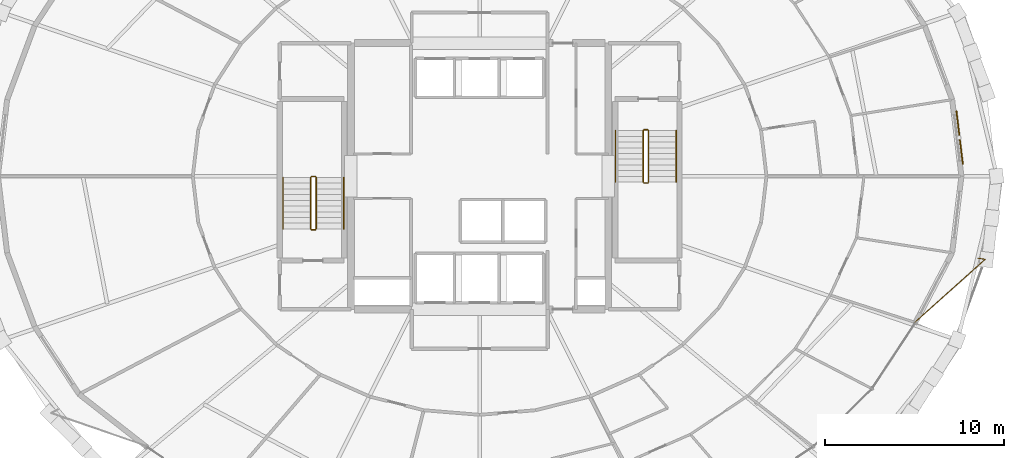
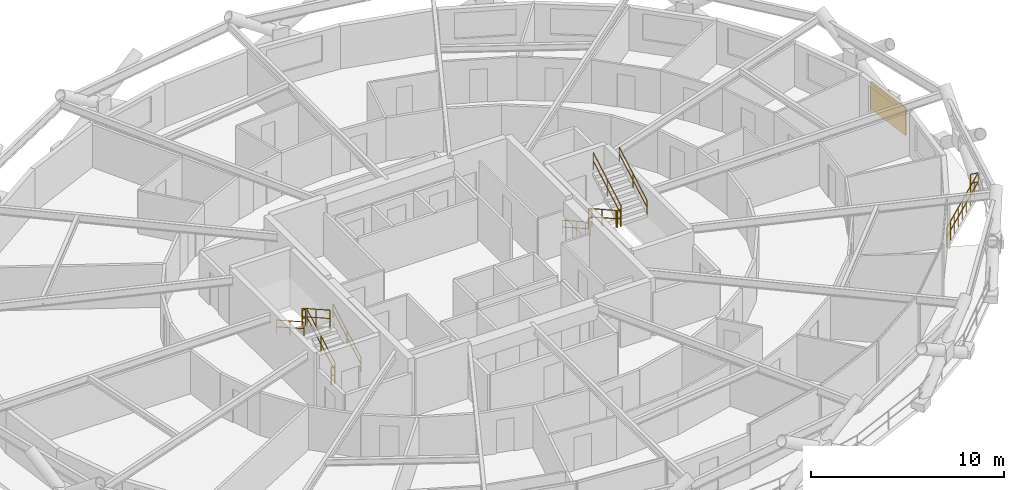
# One storey, part 19 of 19: 13 railings, 1 shading device.
"""IFC4 building model written with IfcOpenShell, lengths in metres."""

import ifcopenshell
import ifcopenshell.guid

model = None  # the IFC model being written
_history = None  # IfcOwnerHistory: only IFC2X3 demands one
_inside = {}  # id of a spatial element -> (the spatial element, [elements in it])
_under = {}  # id of a project, library or spatial element -> (it, [spatial elements below it])
_declared = {}  # id of a project -> (the project, [libraries it declares])
_typed = {}  # id of a type object -> (the type object, [elements of that type])
_made_of = {}  # id of a material, layer set ... -> (it, [elements and type objects made of it])


def new_model(schema):
    """Start an empty IFC model of exactly this schema.

    Asked for "IFC4X3", IfcOpenShell would pick the latest addendum, in which some entities
    have other attributes; the version numbers below select the first issue.
    IFC2X3 requires an IfcOwnerHistory on every rooted entity: one is made here for all.
    """
    global model, _history
    if schema == "IFC4X3":
        model = ifcopenshell.file(schema_version=(4, 3, 0, 0))
    else:
        model = ifcopenshell.file(schema=schema)
    _inside.clear()
    _under.clear()
    _declared.clear()
    _typed.clear()
    _made_of.clear()
    _history = None
    if model.schema == "IFC2X3":
        org = make("IfcOrganization", Name="unknown")
        user = make(
            "IfcPersonAndOrganization",
            ThePerson=make("IfcPerson", FamilyName="unknown"),
            TheOrganization=org,
        )
        app = make(
            "IfcApplication",
            ApplicationDeveloper=org,
            Version="unknown",
            ApplicationFullName="unknown",
            ApplicationIdentifier="unknown",
        )
        _history = make(
            "IfcOwnerHistory",
            OwningUser=user,
            OwningApplication=app,
            ChangeAction="ADDED",
            CreationDate=0,
        )
    return model


def make(cls, **values):
    """One entity of the class cls with the attributes given. An attribute that is None is left unset."""
    return model.create_entity(
        cls, **{name: value for name, value in values.items() if value is not None}
    )


def rooted(cls, **values):
    """An entity with a GlobalId (a new one), such as an element, a storey or a relation."""
    return make(cls, GlobalId=ifcopenshell.guid.new(), OwnerHistory=_history, **values)


def si_unit(unit_type, name, prefix=None):
    """IfcSIUnit, for example si_unit("LENGTHUNIT", "METRE", prefix="MILLI")."""
    return make("IfcSIUnit", UnitType=unit_type, Prefix=prefix, Name=name)


def assignment(units):
    """IfcUnitAssignment: the units of a project."""
    return None if units is None else make("IfcUnitAssignment", Units=units)


def point(xyz):
    """IfcCartesianPoint."""
    return None if xyz is None else make("IfcCartesianPoint", Coordinates=xyz)


def direction(xyz):
    """IfcDirection."""
    return None if xyz is None else make("IfcDirection", DirectionRatios=xyz)


def frame(location, z_axis=None, x_axis=None):
    """IfcAxis2Placement3D, a coordinate frame: its origin and axes. An axis left out is left unset."""
    return make(
        "IfcAxis2Placement3D",
        Location=point(location),
        Axis=direction(z_axis),
        RefDirection=direction(x_axis),
    )


def frame_2d(location, x_axis=None):
    """IfcAxis2Placement2D, a coordinate frame in the plane: its origin and x axis."""
    return make(
        "IfcAxis2Placement2D", Location=point(location), RefDirection=direction(x_axis)
    )


def origin():
    """The frame at (0, 0, 0) with its axes left unset."""
    return frame((0.0, 0.0, 0.0))


def origin_2d():
    """The frame at (0, 0) in the plane with its x axis left unset."""
    return frame_2d((0.0, 0.0))


def place(relative_to, where):
    """IfcLocalPlacement: puts the frame where relative to a parent placement (None: the world)."""
    return make(
        "IfcLocalPlacement", PlacementRelTo=relative_to, RelativePlacement=where
    )


def context(
    kind, dimensions, precision=None, world=None, true_north=None, identifier=None
):
    """IfcGeometricRepresentationContext, for example the 3D "Model" context."""
    return make(
        "IfcGeometricRepresentationContext",
        ContextIdentifier=identifier,
        ContextType=kind,
        CoordinateSpaceDimension=dimensions,
        Precision=precision,
        WorldCoordinateSystem=world,
        TrueNorth=true_north,
    )


def subcontext(parent, identifier, kind, view, scale=None):
    """IfcGeometricRepresentationSubContext, for example "Body" below "Model"."""
    return make(
        "IfcGeometricRepresentationSubContext",
        ContextIdentifier=identifier,
        ContextType=kind,
        ParentContext=parent,
        TargetScale=scale,
        TargetView=view,
    )


def project(units=None, contexts=None):
    """IfcProject with its units and contexts."""
    return rooted(
        "IfcProject",
        Name="project",
        RepresentationContexts=contexts,
        UnitsInContext=assignment(units),
    )


def spatial(cls, under=None, at=None, **own):
    """A site, building, storey or space (cls), placed at a placement, below another one or the project."""
    s = rooted(cls, ObjectPlacement=at, **own)
    if under is not None:
        _under.setdefault(under.id(), (under, []))[1].append(s)
    return s


def profile(cls, at=None, kind="AREA", **sizes):
    """A parametric profile (cls). Its sizes go by their IFC names, for example OverallWidth=200.0."""
    return make(cls, ProfileType=kind, Position=at, **sizes)


def rectangle(**sizes):
    """IfcRectangleProfileDef."""
    return profile("IfcRectangleProfileDef", **sizes)


def circle(**sizes):
    """IfcCircleProfileDef."""
    return profile("IfcCircleProfileDef", **sizes)


def extrude(swept, where, along, depth):
    """IfcExtrudedAreaSolid: the profile swept, set in the frame where, extruded along a direction by depth."""
    return make(
        "IfcExtrudedAreaSolid",
        SweptArea=swept,
        Position=where,
        ExtrudedDirection=direction(along),
        Depth=depth,
    )


def shape(context_of_items, identifier, shape_type, items):
    """IfcShapeRepresentation: the items that make up one representation, for example the "Body"."""
    return make(
        "IfcShapeRepresentation",
        ContextOfItems=context_of_items,
        RepresentationIdentifier=identifier,
        RepresentationType=shape_type,
        Items=items,
    )


def material(Name=None, Category=None):
    """IfcMaterial."""
    return make("IfcMaterial", Name=Name, Category=Category)


def layer(
    of_material, thickness, ventilated=None, Name=None, Category=None, Priority=None
):
    """IfcMaterialLayer: one layer of a wall or slab, of a material (None: an air gap)."""
    return make(
        "IfcMaterialLayer",
        Material=of_material,
        LayerThickness=thickness,
        IsVentilated=ventilated,
        Name=Name,
        Category=Category,
        Priority=Priority,
    )


def layer_set(layers, Name=None):
    """IfcMaterialLayerSet."""
    return make("IfcMaterialLayerSet", MaterialLayers=layers, LayerSetName=Name)


def made_of(thing, what):
    """Note that an element or type object is made of a material, layer set ...; save() writes the relation."""
    if what is not None:
        _made_of.setdefault(what.id(), (what, []))[1].append(thing)
    return thing


def type_object(cls, material=None, **own):
    """A type object (cls), such as IfcWallType, which elements share."""
    return made_of(rooted(cls, **own), material)


def element(
    cls,
    number,
    at=None,
    inside=None,
    cuts=None,
    type_object=None,
    material=None,
    context=None,
    identifier="Body",
    shape_type=None,
    held_by="IfcProductDefinitionShape",
    body=None,
    shapes=None,
    **own,
):
    """One element of the class cls, such as IfcWall. Its Tag is "e" and its number.

    at: its placement. inside: the storey or other place that contains it. cuts: it is an
    opening in that element (IfcRelVoidsElement). A single representation is given by context,
    identifier, shape_type and body (its items); several are given by shapes. held_by: the class
    of the entity that holds the representations. save() writes the other relations.
    """
    e = rooted(cls, Tag="e%d" % number, ObjectPlacement=at, **own)
    if body is not None:
        shapes = [shape(context, identifier, shape_type, body)]
    if shapes is not None:
        e.Representation = make(held_by, Representations=shapes)
    if inside is not None:
        _inside.setdefault(inside.id(), (inside, []))[1].append(e)
    if cuts is not None:
        rooted(
            "IfcRelVoidsElement", RelatingBuildingElement=cuts, RelatedOpeningElement=e
        )
    if type_object is not None:
        _typed.setdefault(type_object.id(), (type_object, []))[1].append(e)
    return made_of(e, material)


def aggregate(whole, parts):
    """IfcRelAggregates: a whole, such as a stair, and the parts it consists of."""
    return rooted("IfcRelAggregates", RelatingObject=whole, RelatedObjects=parts)


def save(model, path):
    """Write the relations noted so far, then the file.

    IfcRelAggregates (storeys below a building ...), IfcRelContainedInSpatialStructure (elements
    in a storey), IfcRelDefinesByType, IfcRelAssociatesMaterial and IfcRelDeclares: one each for
    every whole, place, type object, material and project.
    """
    for whole, parts in _under.values():
        aggregate(whole, parts)
    for where, things in _inside.values():
        rooted(
            "IfcRelContainedInSpatialStructure",
            RelatedElements=things,
            RelatingStructure=where,
        )
    for kind, things in _typed.values():
        rooted("IfcRelDefinesByType", RelatedObjects=things, RelatingType=kind)
    for what, things in _made_of.values():
        rooted("IfcRelAssociatesMaterial", RelatedObjects=things, RelatingMaterial=what)
    for by, libraries in _declared.values():
        rooted("IfcRelDeclares", RelatingContext=by, RelatedDefinitions=libraries)
    model.write(path)


model = new_model("IFC4")

# Units and contexts
model_context = context("Model", 3, precision=1e-05, world=origin(), true_north=direction((0.0, 1.0)))
body_context = subcontext(model_context, "Body", "Model", "MODEL_VIEW")
ifc_project = project(units=[si_unit("LENGTHUNIT", "METRE"), si_unit("AREAUNIT", "SQUARE_METRE"), si_unit("VOLUMEUNIT", "CUBIC_METRE"), si_unit("PLANEANGLEUNIT", "RADIAN"), si_unit("MASSUNIT", "GRAM", prefix="KILO")], contexts=[model_context])

# Site, building, storey
site_placement = place(None, origin())
site = spatial("IfcSite", under=ifc_project, at=site_placement, CompositionType="ELEMENT")
building_placement = place(site_placement, origin())
building = spatial("IfcBuilding", under=site, at=building_placement, Name="Veldorina Hangang Commons", CompositionType="ELEMENT")
storey_placement = place(building_placement, frame((0.0, 0.0, 70.0)))
storey = spatial("IfcBuildingStorey", under=building, at=storey_placement, Name="L17", CompositionType="ELEMENT", Elevation=70.0)

# Railings
ifc_material_1 = material(Name="Glass Laminated Safety Balustrade", Category="glass")
railing_type_1 = type_object("IfcRailingType", Name="RL-BAL-LOGGIA", PredefinedType="BALUSTRADE", material=ifc_material_1)
railing_1_placement = place(storey_placement, frame((59.86669921875, 19.41552734375, 0.0)))
element("IfcRailing", 1, at=railing_1_placement, inside=storey, type_object=railing_type_1, Name="L17 sky-garden loggia end balustrade B", PredefinedType="BALUSTRADE", context=body_context, shape_type="SweptSolid", body=[
    extrude(circle(Radius=0.02392578125, at=origin_2d()), frame((0.0, 0.0, 1.17578125), z_axis=(0.986768283702, -0.162136838135, 0.0), x_axis=(0.162136838135, 0.986768283702, 0.0)), (0.0, 0.0, 1.0), 0.420166015625),
    extrude(circle(Radius=0.02392578125, at=origin_2d()), frame((0.0, 0.0, 0.60009765625), z_axis=(0.986768283702, -0.162136838135, 0.0), x_axis=(0.162136838135, 0.986768283702, 0.0)), (0.0, 0.0, 1.0), 0.420166015625),
    extrude(circle(Radius=0.02392578125, at=origin_2d()), frame((0.41455078125, -0.068115234375, 1.17578125), z_axis=(-0.74488321369, -0.667194872555, 0.0), x_axis=(0.667194872555, -0.74488321369, 0.0)), (0.0, 0.0, 1.0), 5.279541015625),
    extrude(circle(Radius=0.02392578125, at=origin_2d()), frame((0.41455078125, -0.068115234375, 0.60009765625), z_axis=(-0.74488321369, -0.667194872555, 0.0), x_axis=(0.667194872555, -0.74488321369, 0.0)), (0.0, 0.0, 1.0), 5.279541015625),
    extrude(circle(Radius=0.02099609375, at=origin_2d()), origin(), (0.0, 0.0, 1.0), 1.15185546875),
    extrude(circle(Radius=0.02099609375, at=origin_2d()), frame((0.41455078125, -0.068115234375, 0.0)), (0.0, 0.0, 1.0), 1.15185546875),
    extrude(circle(Radius=0.02099609375, at=origin_2d()), frame((-0.0771484375, -0.50830078125, 0.0)), (0.0, 0.0, 1.0), 1.15185546875),
    extrude(circle(Radius=0.02099609375, at=origin_2d()), frame((-0.568603515625, -0.94873046875, 0.0)), (0.0, 0.0, 1.0), 1.15185546875),
    extrude(circle(Radius=0.02099609375, at=origin_2d()), frame((-1.06005859375, -1.38916015625, 0.0)), (0.0, 0.0, 1.0), 1.15185546875),
    extrude(circle(Radius=0.02099609375, at=origin_2d()), frame((-1.5517578125, -1.829345703125, 0.0)), (0.0, 0.0, 1.0), 1.15185546875),
    extrude(circle(Radius=0.02099609375, at=origin_2d()), frame((-2.04345703125, -2.26953125, 0.0)), (0.0, 0.0, 1.0), 1.15185546875),
    extrude(circle(Radius=0.02099609375, at=origin_2d()), frame((-2.534912109375, -2.7099609375, 0.0)), (0.0, 0.0, 1.0), 1.15185546875),
    extrude(circle(Radius=0.02099609375, at=origin_2d()), frame((-3.0263671875, -3.150390625, 0.0)), (0.0, 0.0, 1.0), 1.15185546875),
    extrude(circle(Radius=0.02099609375, at=origin_2d()), frame((-3.51806640625, -3.590576171875, 0.0)), (0.0, 0.0, 1.0), 1.15185546875),
])
ifc_material_2 = material(Name="Steel Painted Balustrade", Category="steel")
railing_type_2 = type_object("IfcRailingType", Name="RL-GRD-STAIR", PredefinedType="GUARDRAIL", material=ifc_material_2)
railing_2_placement = place(storey_placement, frame((22.85009765625, 21.050048828125, 0.179931640625)))
element("IfcRailing", 2, at=railing_2_placement, inside=storey, type_object=railing_type_2, Name="L17 ST-1 stair guard 1", PredefinedType="GUARDRAIL", context=body_context, shape_type="SweptSolid", body=[
    extrude(circle(Radius=0.02392578125, at=origin_2d()), frame((0.0, 0.0, 1.076171875), z_axis=(0.0, 0.87155185771, 0.490303333991), x_axis=(-1.0, 0.0, 0.0)), (0.0, 0.0, 1.0), 3.30419921875),
    extrude(circle(Radius=0.02392578125, at=origin_2d()), frame((0.0, 0.0, 0.550048828125), z_axis=(0.0, 0.87155185771, 0.490303333991), x_axis=(-1.0, 0.0, 0.0)), (0.0, 0.0, 1.0), 3.30419921875),
    extrude(circle(Radius=0.02099609375, at=origin_2d()), origin(), (0.0, 0.0, 1.0), 1.052001953125),
    extrude(circle(Radius=0.02099609375, at=origin_2d()), frame((0.0, 1.43994140625, 0.81005859375)), (0.0, 0.0, 1.0), 1.052001953125),
    extrude(circle(Radius=0.02099609375, at=origin_2d()), frame((0.0, 2.8798828125, 1.6201171875)), (0.0, 0.0, 1.0), 1.052001953125),
])
railing_3_placement = place(storey_placement, frame((22.800048828125, 23.97998046875, 1.800048828125)))
element("IfcRailing", 3, at=railing_3_placement, inside=storey, type_object=railing_type_2, Name="L17 ST-1 stair guard 2", PredefinedType="GUARDRAIL", context=body_context, shape_type="SweptSolid", body=[
    extrude(circle(Radius=0.02392578125, at=origin_2d()), frame((0.0, 0.0, 1.076171875), z_axis=(-1.0, 0.0, 0.0), x_axis=(0.0, -1.0, 0.0)), (0.0, 0.0, 1.0), 0.199951171875),
    extrude(circle(Radius=0.02392578125, at=origin_2d()), frame((0.0, 0.0, 0.550048828125), z_axis=(-1.0, 0.0, 0.0), x_axis=(0.0, -1.0, 0.0)), (0.0, 0.0, 1.0), 0.199951171875),
    extrude(circle(Radius=0.02099609375, at=origin_2d()), origin(), (0.0, 0.0, 1.0), 1.052001953125),
    extrude(circle(Radius=0.02099609375, at=origin_2d()), frame((-0.199951171875, 0.0, 0.0)), (0.0, 0.0, 1.0), 1.052001953125),
])
railing_4_placement = place(storey_placement, frame((22.550048828125, 23.929931640625, 1.97998046875)))
element("IfcRailing", 4, at=railing_4_placement, inside=storey, type_object=railing_type_2, Name="L17 ST-1 stair guard 3", PredefinedType="GUARDRAIL", context=body_context, shape_type="SweptSolid", body=[
    extrude(circle(Radius=0.02392578125, at=origin_2d()), frame((0.0, 0.0, 1.076171875), z_axis=(0.0, -0.87155185771, 0.490303333991), x_axis=(1.0, 0.0, 0.0)), (0.0, 0.0, 1.0), 3.30419921875),
    extrude(circle(Radius=0.02392578125, at=origin_2d()), frame((0.0, 0.0, 0.550048828125), z_axis=(0.0, -0.87155185771, 0.490303333991), x_axis=(1.0, 0.0, 0.0)), (0.0, 0.0, 1.0), 3.30419921875),
    extrude(circle(Radius=0.02099609375, at=origin_2d()), origin(), (0.0, 0.0, 1.0), 1.052001953125),
    extrude(circle(Radius=0.02099609375, at=origin_2d()), frame((0.0, -1.43994140625, 0.81005859375)), (0.0, 0.0, 1.0), 1.052001953125),
    extrude(circle(Radius=0.02099609375, at=origin_2d()), frame((0.0, -2.8798828125, 1.6201171875)), (0.0, 0.0, 1.0), 1.052001953125),
])
railing_5_placement = place(storey_placement, frame((22.800048828125, 21.0, 0.0)))
element("IfcRailing", 5, at=railing_5_placement, inside=storey, type_object=railing_type_2, Name="L17 ST-1 stair guard 4", PredefinedType="GUARDRAIL", context=body_context, shape_type="SweptSolid", body=[
    extrude(circle(Radius=0.02392578125, at=origin_2d()), frame((0.0, 0.0, 1.076171875), z_axis=(-1.0, 0.0, 0.0), x_axis=(0.0, -1.0, 0.0)), (0.0, 0.0, 1.0), 0.199951171875),
    extrude(circle(Radius=0.02392578125, at=origin_2d()), frame((0.0, 0.0, 0.550048828125), z_axis=(-1.0, 0.0, 0.0), x_axis=(0.0, -1.0, 0.0)), (0.0, 0.0, 1.0), 0.199951171875),
    extrude(circle(Radius=0.02099609375, at=origin_2d()), origin(), (0.0, 0.0, 1.0), 1.052001953125),
    extrude(circle(Radius=0.02099609375, at=origin_2d()), frame((-0.199951171875, 0.0, 0.0)), (0.0, 0.0, 1.0), 1.052001953125),
])
railing_6_placement = place(storey_placement, frame((41.14990234375, 26.550048828125, 0.179931640625)))
element("IfcRailing", 6, at=railing_6_placement, inside=storey, type_object=railing_type_2, Name="L17 ST-2 stair guard 1", PredefinedType="GUARDRAIL", context=body_context, shape_type="SweptSolid", body=[
    extrude(circle(Radius=0.02392578125, at=origin_2d()), frame((0.0, 0.0, 1.076171875), z_axis=(0.0, -0.871569617843, 0.490271762652), x_axis=(1.0, 0.0, 0.0)), (0.0, 0.0, 1.0), 3.304443359375),
    extrude(circle(Radius=0.02392578125, at=origin_2d()), frame((0.0, 0.0, 0.550048828125), z_axis=(0.0, -0.871569617843, 0.490271762652), x_axis=(1.0, 0.0, 0.0)), (0.0, 0.0, 1.0), 3.304443359375),
    extrude(circle(Radius=0.02099609375, at=origin_2d()), origin(), (0.0, 0.0, 1.0), 1.052001953125),
    extrude(circle(Radius=0.02099609375, at=origin_2d()), frame((0.0, -1.43994140625, 0.81005859375)), (0.0, 0.0, 1.0), 1.052001953125),
    extrude(circle(Radius=0.02099609375, at=origin_2d()), frame((0.0, -2.880126953125, 1.6201171875)), (0.0, 0.0, 1.0), 1.052001953125),
])
railing_7_placement = place(storey_placement, frame((41.199951171875, 23.6201171875, 1.800048828125)))
element("IfcRailing", 7, at=railing_7_placement, inside=storey, type_object=railing_type_2, Name="L17 ST-2 stair guard 2", PredefinedType="GUARDRAIL", context=body_context, shape_type="SweptSolid", body=[
    extrude(circle(Radius=0.02392578125, at=origin_2d()), frame((0.0, 0.0, 1.076171875), z_axis=(1.0, 0.0, 0.0), x_axis=(0.0, 1.0, 0.0)), (0.0, 0.0, 1.0), 0.199951171875),
    extrude(circle(Radius=0.02392578125, at=origin_2d()), frame((0.0, 0.0, 0.550048828125), z_axis=(1.0, 0.0, 0.0), x_axis=(0.0, 1.0, 0.0)), (0.0, 0.0, 1.0), 0.199951171875),
    extrude(circle(Radius=0.02099609375, at=origin_2d()), origin(), (0.0, 0.0, 1.0), 1.052001953125),
    extrude(circle(Radius=0.02099609375, at=origin_2d()), frame((0.199951171875, 0.0, 0.0)), (0.0, 0.0, 1.0), 1.052001953125),
])
railing_8_placement = place(storey_placement, frame((41.449951171875, 23.669921875, 1.97998046875)))
element("IfcRailing", 8, at=railing_8_placement, inside=storey, type_object=railing_type_2, Name="L17 ST-2 stair guard 3", PredefinedType="GUARDRAIL", context=body_context, shape_type="SweptSolid", body=[
    extrude(circle(Radius=0.02392578125, at=origin_2d()), frame((0.0, 0.0, 1.076171875), z_axis=(0.0, 0.871569617843, 0.490271762652), x_axis=(-1.0, 0.0, 0.0)), (0.0, 0.0, 1.0), 3.304443359375),
    extrude(circle(Radius=0.02392578125, at=origin_2d()), frame((0.0, 0.0, 0.550048828125), z_axis=(0.0, 0.871569617843, 0.490271762652), x_axis=(-1.0, 0.0, 0.0)), (0.0, 0.0, 1.0), 3.304443359375),
    extrude(circle(Radius=0.02099609375, at=origin_2d()), origin(), (0.0, 0.0, 1.0), 1.052001953125),
    extrude(circle(Radius=0.02099609375, at=origin_2d()), frame((0.0, 1.43994140625, 0.81005859375)), (0.0, 0.0, 1.0), 1.052001953125),
    extrude(circle(Radius=0.02099609375, at=origin_2d()), frame((0.0, 2.880126953125, 1.6201171875)), (0.0, 0.0, 1.0), 1.052001953125),
])
railing_9_placement = place(storey_placement, frame((41.199951171875, 26.60009765625, 0.0)))
element("IfcRailing", 9, at=railing_9_placement, inside=storey, type_object=railing_type_2, Name="L17 ST-2 stair guard 4", PredefinedType="GUARDRAIL", context=body_context, shape_type="SweptSolid", body=[
    extrude(circle(Radius=0.02392578125, at=origin_2d()), frame((0.0, 0.0, 1.076171875), z_axis=(1.0, 0.0, 0.0), x_axis=(0.0, 1.0, 0.0)), (0.0, 0.0, 1.0), 0.199951171875),
    extrude(circle(Radius=0.02392578125, at=origin_2d()), frame((0.0, 0.0, 0.550048828125), z_axis=(1.0, 0.0, 0.0), x_axis=(0.0, 1.0, 0.0)), (0.0, 0.0, 1.0), 0.199951171875),
    extrude(circle(Radius=0.02099609375, at=origin_2d()), origin(), (0.0, 0.0, 1.0), 1.052001953125),
    extrude(circle(Radius=0.02099609375, at=origin_2d()), frame((0.199951171875, 0.0, 0.0)), (0.0, 0.0, 1.0), 1.052001953125),
])
ifc_material_3 = material(Name="Stainless Steel Brushed 316", Category="steel")
railing_type_3 = type_object("IfcRailingType", Name="RL-HND-STAIR", PredefinedType="HANDRAIL", material=ifc_material_3)
railing_10_placement = place(storey_placement, frame((24.39990234375, 21.050048828125, 0.179931640625)))
element("IfcRailing", 10, at=railing_10_placement, inside=storey, type_object=railing_type_3, Name="L17 ST-1 stair handrail 1", PredefinedType="HANDRAIL", context=body_context, shape_type="SweptSolid", body=[
    extrude(circle(Radius=0.02392578125, at=origin_2d()), frame((0.0, 0.0, 0.8759765625), z_axis=(0.0, 0.87155185771, 0.490303333991), x_axis=(-1.0, 0.0, 0.0)), (0.0, 0.0, 1.0), 3.30419921875),
    extrude(circle(Radius=0.02392578125, at=origin_2d()), frame((0.0, 0.0, 0.449951171875), z_axis=(0.0, 0.87155185771, 0.490303333991), x_axis=(-1.0, 0.0, 0.0)), (0.0, 0.0, 1.0), 3.30419921875),
    extrude(circle(Radius=0.02099609375, at=origin_2d()), origin(), (0.0, 0.0, 1.0), 0.851806640625),
    extrude(circle(Radius=0.02099609375, at=origin_2d()), frame((0.0, 1.43994140625, 0.81005859375)), (0.0, 0.0, 1.0), 0.851806640625),
    extrude(circle(Radius=0.02099609375, at=origin_2d()), frame((0.0, 2.8798828125, 1.6201171875)), (0.0, 0.0, 1.0), 0.851806640625),
])
railing_11_placement = place(storey_placement, frame((21.0, 23.929931640625, 1.97998046875)))
element("IfcRailing", 11, at=railing_11_placement, inside=storey, type_object=railing_type_3, Name="L17 ST-1 stair handrail 2", PredefinedType="HANDRAIL", context=body_context, shape_type="SweptSolid", body=[
    extrude(circle(Radius=0.02392578125, at=origin_2d()), frame((0.0, 0.0, 0.8759765625), z_axis=(0.0, -0.87155185771, 0.490303333991), x_axis=(1.0, 0.0, 0.0)), (0.0, 0.0, 1.0), 3.30419921875),
    extrude(circle(Radius=0.02392578125, at=origin_2d()), frame((0.0, 0.0, 0.449951171875), z_axis=(0.0, -0.87155185771, 0.490303333991), x_axis=(1.0, 0.0, 0.0)), (0.0, 0.0, 1.0), 3.30419921875),
    extrude(circle(Radius=0.02099609375, at=origin_2d()), origin(), (0.0, 0.0, 1.0), 0.851806640625),
    extrude(circle(Radius=0.02099609375, at=origin_2d()), frame((0.0, -1.43994140625, 0.81005859375)), (0.0, 0.0, 1.0), 0.851806640625),
    extrude(circle(Radius=0.02099609375, at=origin_2d()), frame((0.0, -2.8798828125, 1.6201171875)), (0.0, 0.0, 1.0), 0.851806640625),
])
railing_12_placement = place(storey_placement, frame((39.60009765625, 26.550048828125, 0.179931640625)))
element("IfcRailing", 12, at=railing_12_placement, inside=storey, type_object=railing_type_3, Name="L17 ST-2 stair handrail 1", PredefinedType="HANDRAIL", context=body_context, shape_type="SweptSolid", body=[
    extrude(circle(Radius=0.02392578125, at=origin_2d()), frame((0.0, 0.0, 0.8759765625), z_axis=(0.0, -0.871569617843, 0.490271762652), x_axis=(1.0, 0.0, 0.0)), (0.0, 0.0, 1.0), 3.304443359375),
    extrude(circle(Radius=0.02392578125, at=origin_2d()), frame((0.0, 0.0, 0.449951171875), z_axis=(0.0, -0.871569617843, 0.490271762652), x_axis=(1.0, 0.0, 0.0)), (0.0, 0.0, 1.0), 3.304443359375),
    extrude(circle(Radius=0.02099609375, at=origin_2d()), origin(), (0.0, 0.0, 1.0), 0.851806640625),
    extrude(circle(Radius=0.02099609375, at=origin_2d()), frame((0.0, -1.43994140625, 0.81005859375)), (0.0, 0.0, 1.0), 0.851806640625),
    extrude(circle(Radius=0.02099609375, at=origin_2d()), frame((0.0, -2.880126953125, 1.6201171875)), (0.0, 0.0, 1.0), 0.851806640625),
])
railing_13_placement = place(storey_placement, frame((43.0, 23.669921875, 1.97998046875)))
element("IfcRailing", 13, at=railing_13_placement, inside=storey, type_object=railing_type_3, Name="L17 ST-2 stair handrail 2", PredefinedType="HANDRAIL", context=body_context, shape_type="SweptSolid", body=[
    extrude(circle(Radius=0.02392578125, at=origin_2d()), frame((0.0, 0.0, 0.8759765625), z_axis=(0.0, 0.871569617843, 0.490271762652), x_axis=(-1.0, 0.0, 0.0)), (0.0, 0.0, 1.0), 3.304443359375),
    extrude(circle(Radius=0.02392578125, at=origin_2d()), frame((0.0, 0.0, 0.449951171875), z_axis=(0.0, 0.871569617843, 0.490271762652), x_axis=(-1.0, 0.0, 0.0)), (0.0, 0.0, 1.0), 3.304443359375),
    extrude(circle(Radius=0.02099609375, at=origin_2d()), origin(), (0.0, 0.0, 1.0), 0.851806640625),
    extrude(circle(Radius=0.02099609375, at=origin_2d()), frame((0.0, 1.43994140625, 0.81005859375)), (0.0, 0.0, 1.0), 0.851806640625),
    extrude(circle(Radius=0.02099609375, at=origin_2d()), frame((0.0, 2.880126953125, 1.6201171875)), (0.0, 0.0, 1.0), 0.851806640625),
])

# Shading device
ifc_material_4 = material(Name="Ceramic Glazed Terracotta", Category="masonry")
ifc_layer = layer(ifc_material_4, 0.06005859375)
ifc_layer_set = layer_set([ifc_layer], Name="Ceramic Glazed Terracotta")
shading_device_type = type_object("IfcShadingDeviceType", Name="SCR-CER-3000", PredefinedType="USERDEFINED", material=ifc_layer_set)
shading_device_placement = place(storey_placement, frame((58.855712890625, 26.160888671875, 0.75), z_axis=(0.0, 0.0, 1.0), x_axis=(-0.12003287687, 0.992769917186, 0.0)))
element("IfcShadingDevice", 14, at=shading_device_placement, inside=storey, type_object=shading_device_type, Name="L17 PERFORATED CERAMIC SOLAR SCREEN 00", ObjectType="SCREEN", PredefinedType="USERDEFINED", context=body_context, shape_type="SweptSolid", body=[
    extrude(rectangle(XDim=3.0, YDim=0.06005859375, at=origin_2d()), origin(), (0.0, 0.0, 1.0), 1.75),
])

save(model, "model.ifc")
